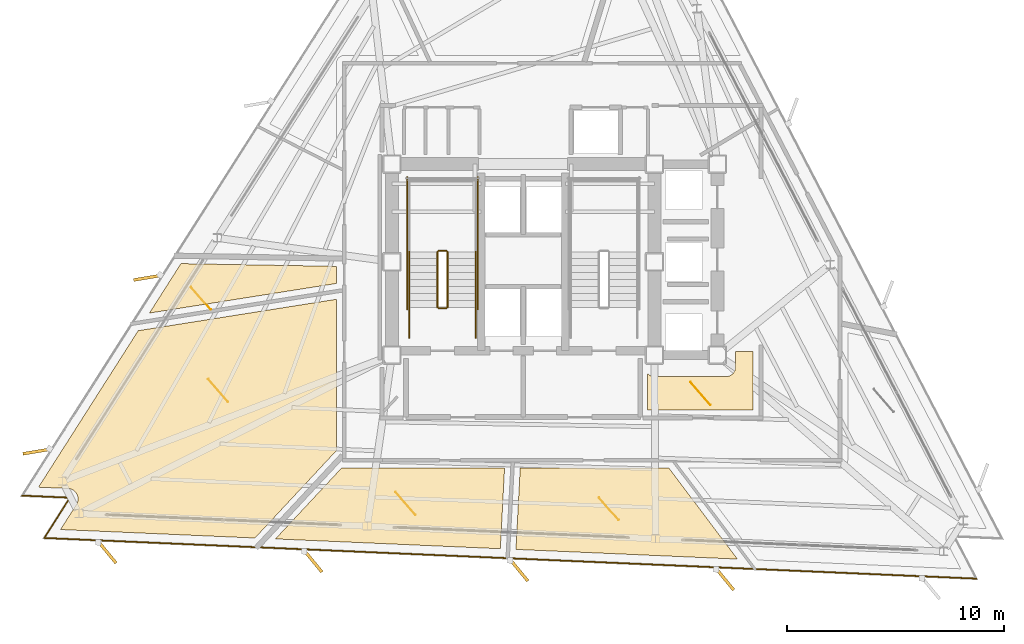
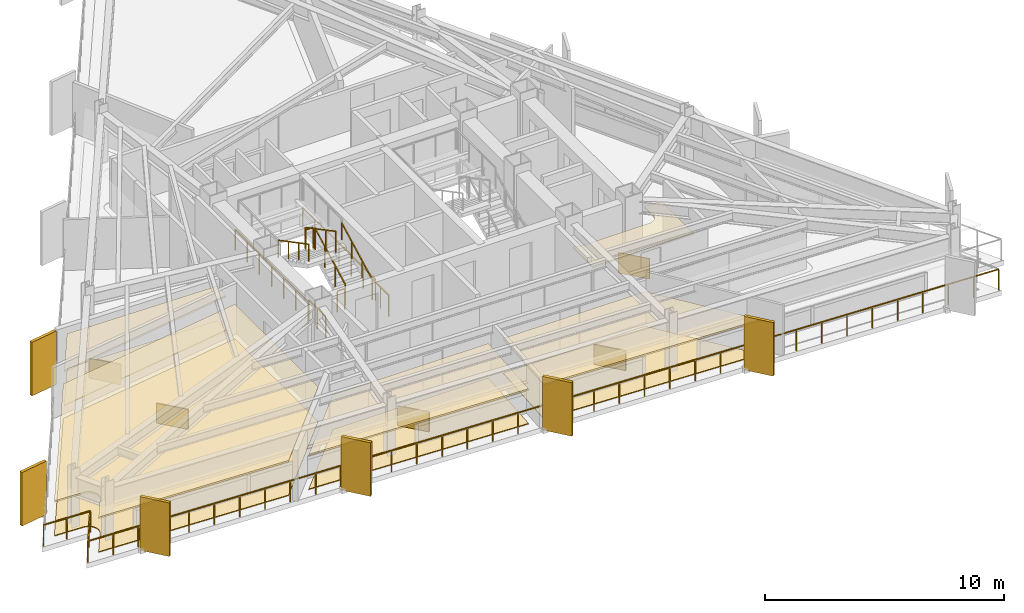
# One storey, part 10 of 12: 14 coverings, 11 railings, 6 shading devices.
"""IFC4 building model written with IfcOpenShell, lengths in metres."""

from ifc_helpers import new_model, si_unit, direction, frame, origin, origin_2d, place, context, subcontext, project, spatial, polyline, rectangle, outline, extrude, material, layer, layer_set, type_object, element, save


model = new_model("IFC4")

# Units and contexts
model_context = context("Model", 3, precision=1e-05, world=origin(), true_north=direction((0.0, 1.0)))
body_context = subcontext(model_context, "Body", "Model", "MODEL_VIEW")
ifc_project = project(units=[si_unit("LENGTHUNIT", "METRE"), si_unit("AREAUNIT", "SQUARE_METRE"), si_unit("VOLUMEUNIT", "CUBIC_METRE"), si_unit("PLANEANGLEUNIT", "RADIAN"), si_unit("MASSUNIT", "GRAM", prefix="KILO")], contexts=[model_context])

# Site, building, storey
site_placement = place(None, origin())
site = spatial("IfcSite", under=ifc_project, at=site_placement, CompositionType="ELEMENT")
building_placement = place(site_placement, origin())
building = spatial("IfcBuilding", under=site, at=building_placement, Name="Rocaltana Carrier Exchange", CompositionType="ELEMENT")
storey_placement = place(building_placement, frame((0.0, 0.0, 144.159912109375)))
storey = spatial("IfcBuildingStorey", under=building, at=storey_placement, Name="L45", CompositionType="ELEMENT", Elevation=144.159912109375)

# Coverings
ifc_material_1 = material(Name="Honed Bogota Sandstone Tile", Category="masonry")
ifc_layer_1 = layer(ifc_material_1, 0.0400390625)
ifc_layer_set_1 = layer_set([ifc_layer_1], Name="Honed Bogota Sandstone Tile")
covering_type_1 = type_object("IfcCoveringType", Name="Honed Stone Lobby Flooring 40", PredefinedType="FLOORING", material=ifc_layer_set_1)
covering_1_placement = place(storey_placement, origin())
element("IfcCovering", 1, at=covering_1_placement, inside=storey, type_object=covering_type_1, Name="L45 Client Reception Foyer Finish Floor", PredefinedType="FLOORING", context=body_context, shape_type="SweptSolid", body=[
    extrude(outline(polyline([(-15.77734375, -0.084716796875), (-8.610107421875, -0.209716796875), (-8.610107421875, -0.999267578125), (-17.229736328125, -2.364501953125), (-15.77734375, -0.084716796875)])), origin(), (0.0, 0.0, 1.0), 0.0400390625),
])
covering_2_placement = place(storey_placement, origin())
element("IfcCovering", 2, at=covering_2_placement, inside=storey, type_object=covering_type_1, Name="L45 Staff Break Pantry Finish Floor", PredefinedType="FLOORING", context=body_context, shape_type="SweptSolid", body=[
    extrude(outline(polyline([(-20.592041015625, -11.18798828125), (-20.584716796875, -11.176025390625), (-20.574951171875, -11.15869140625), (-20.562255859375, -11.1337890625), (-20.55419921875, -11.11572265625), (-20.544189453125, -11.089599609375), (-20.5380859375, -11.07080078125), (-20.530517578125, -11.043701171875), (-20.5263671875, -11.0244140625), (-20.521484375, -10.996826171875), (-20.519287109375, -10.97705078125), (-20.517333984375, -10.94921875), (-20.516845703125, -10.92919921875), (-20.517822265625, -10.9013671875), (-20.519287109375, -10.88134765625), (-20.523193359375, -10.853759765625), (-20.526611328125, -10.833984375), (-20.532958984375, -10.806884765625), (-20.53857421875, -10.787841796875), (-20.547607421875, -10.761474609375), (-20.554931640625, -10.742919921875), (-20.566650390625, -10.717529296875), (-20.575927734375, -10.69970703125), (-20.590087890625, -10.67578125), (-20.600830078125, -10.6591796875), (-20.6171875, -10.636474609375), (-20.6298828125, -10.62109375), (-20.6484375, -10.60009765625), (-20.66259765625, -10.5859375), (-20.68310546875, -10.567138671875), (-20.698486328125, -10.554443359375), (-20.720703125, -10.53759765625), (-20.7373046875, -10.526611328125), (-20.76123046875, -10.51220703125), (-20.77880859375, -10.502685546875), (-20.803955078125, -10.49072265625), (-20.822509765625, -10.483154296875), (-20.8486328125, -10.473876953125), (-20.867919921875, -10.468017578125), (-20.89501953125, -10.461181640625), (-20.91455078125, -10.45751953125), (-20.942138671875, -10.45361328125), (-20.9619140625, -10.45166015625), (-20.975830078125, -10.45068359375), (-22.34326171875, -10.39111328125), (-17.74609375, -3.17529296875), (-8.610107421875, -1.728271484375), (-8.610107421875, -8.705078125), (-12.36669921875, -12.733642578125), (-21.327392578125, -12.34228515625), (-20.592041015625, -11.18798828125)])), origin(), (0.0, 0.0, 1.0), 0.0400390625),
])
covering_3_placement = place(storey_placement, origin())
element("IfcCovering", 3, at=covering_3_placement, inside=storey, type_object=covering_type_1, Name="L45 Client Reception Foyer Finish Floor", PredefinedType="FLOORING", context=body_context, shape_type="SweptSolid", body=[
    extrude(outline(polyline([(-11.420654296875, -12.77490234375), (-8.359619140625, -9.49267578125), (-8.34130859375, -9.498291015625), (-8.33349609375, -9.5), (-8.306640625, -9.50537109375), (-8.298828125, -9.506591796875), (-8.271484375, -9.50927734375), (-8.263671875, -9.509765625), (-8.25, -9.510009765625), (-0.85888671875, -9.510009765625), (-1.0537109375, -13.2275390625), (-11.420654296875, -12.77490234375)])), origin(), (0.0, 0.0, 1.0), 0.0400390625),
])
covering_4_placement = place(storey_placement, origin())
element("IfcCovering", 4, at=covering_4_placement, inside=storey, type_object=covering_type_1, Name="L45 Cloud Architecture Office Finish Floor", PredefinedType="FLOORING", context=body_context, shape_type="SweptSolid", body=[
    extrude(outline(polyline([(-0.33447265625, -13.259033203125), (-0.137939453125, -9.510009765625), (6.715576171875, -9.510009765625), (9.87646484375, -13.704833984375), (-0.33447265625, -13.259033203125)])), origin(), (0.0, 0.0, 1.0), 0.0400390625),
])
ifc_material_2 = material(Name="Anodised Aluminium 6063-T6", Category="aluminium")
ifc_layer_2 = layer(ifc_material_2, 0.0849609375)
ifc_layer_set_2 = layer_set([ifc_layer_2], Name="Anodised Aluminium 6063-T6")
covering_type_2 = type_object("IfcCoveringType", Name="Linear Baffle Acoustic Ceiling 85", PredefinedType="CEILING", material=ifc_layer_set_2)
covering_5_placement = place(storey_placement, frame((0.0, 0.0, 1.72314453125)))
element("IfcCovering", 5, at=covering_5_placement, inside=storey, type_object=covering_type_2, Name="L45 Client Reception Foyer Acoustic Ceiling", PredefinedType="CEILING", context=body_context, shape_type="SweptSolid", body=[
    extrude(outline(polyline([(-15.77734375, -0.084716796875), (-8.610107421875, -0.209716796875), (-8.610107421875, -0.999267578125), (-17.229736328125, -2.364501953125), (-15.77734375, -0.084716796875)])), origin(), (0.0, 0.0, 1.0), 0.0849609375),
])
covering_6_placement = place(storey_placement, frame((0.0, 0.0, 1.72314453125)))
element("IfcCovering", 6, at=covering_6_placement, inside=storey, type_object=covering_type_2, Name="L45 Staff Break Pantry Acoustic Ceiling", PredefinedType="CEILING", context=body_context, shape_type="SweptSolid", body=[
    extrude(outline(polyline([(-20.592041015625, -11.18798828125), (-20.584716796875, -11.176025390625), (-20.574951171875, -11.15869140625), (-20.562255859375, -11.1337890625), (-20.55419921875, -11.11572265625), (-20.544189453125, -11.089599609375), (-20.5380859375, -11.07080078125), (-20.530517578125, -11.043701171875), (-20.5263671875, -11.0244140625), (-20.521484375, -10.996826171875), (-20.519287109375, -10.97705078125), (-20.517333984375, -10.94921875), (-20.516845703125, -10.92919921875), (-20.517822265625, -10.9013671875), (-20.519287109375, -10.88134765625), (-20.523193359375, -10.853759765625), (-20.526611328125, -10.833984375), (-20.532958984375, -10.806884765625), (-20.53857421875, -10.787841796875), (-20.547607421875, -10.761474609375), (-20.554931640625, -10.742919921875), (-20.566650390625, -10.717529296875), (-20.575927734375, -10.69970703125), (-20.590087890625, -10.67578125), (-20.600830078125, -10.6591796875), (-20.6171875, -10.636474609375), (-20.6298828125, -10.62109375), (-20.6484375, -10.60009765625), (-20.66259765625, -10.5859375), (-20.68310546875, -10.567138671875), (-20.698486328125, -10.554443359375), (-20.720703125, -10.53759765625), (-20.7373046875, -10.526611328125), (-20.76123046875, -10.51220703125), (-20.77880859375, -10.502685546875), (-20.803955078125, -10.49072265625), (-20.822509765625, -10.483154296875), (-20.8486328125, -10.473876953125), (-20.867919921875, -10.468017578125), (-20.89501953125, -10.461181640625), (-20.91455078125, -10.45751953125), (-20.942138671875, -10.45361328125), (-20.9619140625, -10.45166015625), (-20.975830078125, -10.45068359375), (-22.34326171875, -10.39111328125), (-17.74609375, -3.17529296875), (-8.610107421875, -1.728271484375), (-8.610107421875, -8.705078125), (-12.36669921875, -12.733642578125), (-21.327392578125, -12.34228515625), (-20.592041015625, -11.18798828125)])), origin(), (0.0, 0.0, 1.0), 0.0849609375),
])
covering_7_placement = place(storey_placement, frame((0.0, 0.0, 1.72314453125)))
element("IfcCovering", 7, at=covering_7_placement, inside=storey, type_object=covering_type_2, Name="L45 Client Reception Foyer Acoustic Ceiling", PredefinedType="CEILING", context=body_context, shape_type="SweptSolid", body=[
    extrude(outline(polyline([(-11.420654296875, -12.77490234375), (-8.359619140625, -9.49267578125), (-8.34130859375, -9.498291015625), (-8.33349609375, -9.5), (-8.306640625, -9.50537109375), (-8.298828125, -9.506591796875), (-8.271484375, -9.50927734375), (-8.263671875, -9.509765625), (-8.25, -9.510009765625), (-0.85888671875, -9.510009765625), (-1.0537109375, -13.2275390625), (-11.420654296875, -12.77490234375)])), origin(), (0.0, 0.0, 1.0), 0.0849609375),
])
covering_8_placement = place(storey_placement, frame((0.0, 0.0, 1.72314453125)))
element("IfcCovering", 8, at=covering_8_placement, inside=storey, type_object=covering_type_2, Name="L45 Cloud Architecture Office Acoustic Ceiling", PredefinedType="CEILING", context=body_context, shape_type="SweptSolid", body=[
    extrude(outline(polyline([(-0.33447265625, -13.259033203125), (-0.137939453125, -9.510009765625), (6.715576171875, -9.510009765625), (9.87646484375, -13.704833984375), (-0.33447265625, -13.259033203125)])), origin(), (0.0, 0.0, 1.0), 0.0849609375),
])
covering_9_placement = place(storey_placement, frame((0.0, 0.0, 1.72314453125)))
element("IfcCovering", 9, at=covering_9_placement, inside=storey, type_object=covering_type_2, Name="L45 Peering Conference Room Acoustic Ceiling", PredefinedType="CEILING", context=body_context, shape_type="SweptSolid", body=[
    extrude(outline(polyline([(5.739990234375, -6.840087890625), (5.739990234375, -5.161865234375), (5.748779296875, -5.170654296875), (5.760498046875, -5.18115234375), (5.78173828125, -5.198486328125), (5.794189453125, -5.2080078125), (5.817138671875, -5.22314453125), (5.83056640625, -5.231201171875), (5.85498046875, -5.244140625), (5.869140625, -5.2509765625), (5.894287109375, -5.261474609375), (5.9091796875, -5.2666015625), (5.935546875, -5.274658203125), (5.95068359375, -5.278564453125), (5.977783203125, -5.283935546875), (5.9931640625, -5.2861328125), (6.0205078125, -5.288818359375), (6.036376953125, -5.289794921875), (6.050048828125, -5.2900390625), (9.35009765625, -5.2900390625), (9.36376953125, -5.289794921875), (9.37939453125, -5.288818359375), (9.40673828125, -5.2861328125), (9.42236328125, -5.283935546875), (9.44921875, -5.278564453125), (9.464599609375, -5.274658203125), (9.49072265625, -5.2666015625), (9.505615234375, -5.261474609375), (9.531005859375, -5.2509765625), (9.545166015625, -5.244140625), (9.5693359375, -5.231201171875), (9.582763671875, -5.22314453125), (9.605712890625, -5.2080078125), (9.618408203125, -5.198486328125), (9.639404296875, -5.18115234375), (9.651123046875, -5.170654296875), (9.670654296875, -5.151123046875), (9.68115234375, -5.139404296875), (9.698486328125, -5.118408203125), (9.7080078125, -5.105712890625), (9.72314453125, -5.082763671875), (9.731201171875, -5.0693359375), (9.744140625, -5.045166015625), (9.7509765625, -5.031005859375), (9.761474609375, -5.005615234375), (9.7666015625, -4.99072265625), (9.774658203125, -4.964599609375), (9.778564453125, -4.94921875), (9.783935546875, -4.92236328125), (9.7861328125, -4.90673828125), (9.788818359375, -4.87939453125), (9.789794921875, -4.86376953125), (9.7900390625, -4.85009765625), (9.7900390625, -4.139892578125), (10.60009765625, -4.139892578125), (10.60009765625, -6.840087890625), (5.739990234375, -6.840087890625)])), origin(), (0.0, 0.0, 1.0), 0.0849609375),
])

# Railings
ifc_material_3 = material(Name="Brushed Architectural Stainless Tube", Category="steel")
ifc_layer_3 = layer(ifc_material_3, 0.048095703125)
ifc_layer_set_3 = layer_set([ifc_layer_3], Name="Brushed Architectural Stainless Tube")
railing_type_1 = type_object("IfcRailingType", Name="Stair Wall Handrail 920", PredefinedType="HANDRAIL", material=ifc_layer_set_3)
railing_1_placement = place(storey_placement, frame((-2.18994140625, -2.10009765625, 0.1689453125)))
element("IfcRailing", 10, at=railing_1_placement, inside=storey, type_object=railing_type_1, Name="L45 ST-1 stair handrail 1", PredefinedType="HANDRAIL", context=body_context, shape_type="SweptSolid", body=[
    extrude(rectangle(XDim=0.048095703125, YDim=0.048095703125, at=origin_2d()), frame((0.0, 0.0, 0.8759765625), z_axis=(0.0, 0.884394423565, 0.466740295633), x_axis=(-1.0, 0.0, 0.0)), (0.0, 0.0, 1.0), 2.894775390625),
    extrude(rectangle(XDim=0.0419921875, YDim=0.0419921875, at=origin_2d()), origin(), (0.0, 0.0, 1.0), 0.851806640625),
    extrude(rectangle(XDim=0.0419921875, YDim=0.0419921875, at=origin_2d()), frame((0.0, 0.853271484375, 0.450439453125)), (0.0, 0.0, 1.0), 0.851806640625),
    extrude(rectangle(XDim=0.0419921875, YDim=0.0419921875, at=origin_2d()), frame((0.0, 1.706787109375, 0.900634765625)), (0.0, 0.0, 1.0), 0.851806640625),
    extrude(rectangle(XDim=0.0419921875, YDim=0.0419921875, at=origin_2d()), frame((0.0, 2.56005859375, 1.35107421875)), (0.0, 0.0, 1.0), 0.851806640625),
])
railing_2_placement = place(storey_placement, frame((-5.25, 0.4599609375, 1.68896484375)))
element("IfcRailing", 11, at=railing_2_placement, inside=storey, type_object=railing_type_1, Name="L45 ST-1 stair handrail 2", PredefinedType="HANDRAIL", context=body_context, shape_type="SweptSolid", body=[
    extrude(rectangle(XDim=0.048095703125, YDim=0.048095703125, at=origin_2d()), frame((0.0, 0.0, 0.8759765625), z_axis=(0.0, -0.884394423565, 0.466740295633), x_axis=(1.0, 0.0, 0.0)), (0.0, 0.0, 1.0), 2.894775390625),
    extrude(rectangle(XDim=0.0419921875, YDim=0.0419921875, at=origin_2d()), origin(), (0.0, 0.0, 1.0), 0.851806640625),
    extrude(rectangle(XDim=0.0419921875, YDim=0.0419921875, at=origin_2d()), frame((0.0, -0.853271484375, 0.450439453125)), (0.0, 0.0, 1.0), 0.851806640625),
    extrude(rectangle(XDim=0.0419921875, YDim=0.0419921875, at=origin_2d()), frame((0.0, -1.706787109375, 0.900634765625)), (0.0, 0.0, 1.0), 0.851806640625),
    extrude(rectangle(XDim=0.0419921875, YDim=0.0419921875, at=origin_2d()), frame((0.0, -2.56005859375, 1.35107421875)), (0.0, 0.0, 1.0), 0.851806640625),
])
ifc_material_4 = material(Name="Powder-Coated Aluminium 6063-T6", Category="aluminium")
ifc_layer_4 = layer(ifc_material_4, 0.048095703125)
ifc_layer_set_4 = layer_set([ifc_layer_4], Name="Powder-Coated Aluminium 6063-T6")
railing_type_2 = type_object("IfcRailingType", Name="Stair Well Guardrail 1100", PredefinedType="GUARDRAIL", material=ifc_layer_set_4)
railing_3_placement = place(storey_placement, frame((-3.489990234375, -2.10009765625, 0.1689453125)))
element("IfcRailing", 12, at=railing_3_placement, inside=storey, type_object=railing_type_2, Name="L45 ST-1 stair guard 1", PredefinedType="GUARDRAIL", context=body_context, shape_type="SweptSolid", body=[
    extrude(rectangle(XDim=0.048095703125, YDim=0.048095703125, at=origin_2d()), frame((0.0, 0.0, 1.076171875), z_axis=(0.0, 0.884394423565, 0.466740295633), x_axis=(-1.0, 0.0, 0.0)), (0.0, 0.0, 1.0), 2.894775390625),
    extrude(rectangle(XDim=0.0419921875, YDim=0.0419921875, at=origin_2d()), origin(), (0.0, 0.0, 1.0), 1.052001953125),
    extrude(rectangle(XDim=0.0419921875, YDim=0.0419921875, at=origin_2d()), frame((0.0, 0.853271484375, 0.450439453125)), (0.0, 0.0, 1.0), 1.052001953125),
    extrude(rectangle(XDim=0.0419921875, YDim=0.0419921875, at=origin_2d()), frame((0.0, 1.706787109375, 0.900634765625)), (0.0, 0.0, 1.0), 1.052001953125),
    extrude(rectangle(XDim=0.0419921875, YDim=0.0419921875, at=origin_2d()), frame((0.0, 2.56005859375, 1.35107421875)), (0.0, 0.0, 1.0), 1.052001953125),
])
railing_4_placement = place(storey_placement, frame((-3.5400390625, 0.510009765625, 1.52001953125)))
element("IfcRailing", 13, at=railing_4_placement, inside=storey, type_object=railing_type_2, Name="L45 ST-1 stair guard 2", PredefinedType="GUARDRAIL", context=body_context, shape_type="SweptSolid", body=[
    extrude(rectangle(XDim=0.048095703125, YDim=0.048095703125, at=origin_2d()), frame((0.0, 0.0, 1.076171875), z_axis=(-1.0, 0.0, 0.0), x_axis=(0.0, -1.0, 0.0)), (0.0, 0.0, 1.0), 0.35986328125),
    extrude(rectangle(XDim=0.0419921875, YDim=0.0419921875, at=origin_2d()), origin(), (0.0, 0.0, 1.0), 1.052001953125),
    extrude(rectangle(XDim=0.0419921875, YDim=0.0419921875, at=origin_2d()), frame((-0.35986328125, 0.0, 0.0)), (0.0, 0.0, 1.0), 1.052001953125),
])
railing_5_placement = place(storey_placement, frame((-3.949951171875, 0.4599609375, 1.68896484375)))
element("IfcRailing", 14, at=railing_5_placement, inside=storey, type_object=railing_type_2, Name="L45 ST-1 stair guard 6", PredefinedType="GUARDRAIL", context=body_context, shape_type="SweptSolid", body=[
    extrude(rectangle(XDim=0.048095703125, YDim=0.048095703125, at=origin_2d()), frame((0.0, 0.0, 1.076171875), z_axis=(0.0, -0.884394423565, 0.466740295633), x_axis=(1.0, 0.0, 0.0)), (0.0, 0.0, 1.0), 2.894775390625),
    extrude(rectangle(XDim=0.0419921875, YDim=0.0419921875, at=origin_2d()), origin(), (0.0, 0.0, 1.0), 1.052001953125),
    extrude(rectangle(XDim=0.0419921875, YDim=0.0419921875, at=origin_2d()), frame((0.0, -0.853271484375, 0.450439453125)), (0.0, 0.0, 1.0), 1.052001953125),
    extrude(rectangle(XDim=0.0419921875, YDim=0.0419921875, at=origin_2d()), frame((0.0, -1.706787109375, 0.900634765625)), (0.0, 0.0, 1.0), 1.052001953125),
    extrude(rectangle(XDim=0.0419921875, YDim=0.0419921875, at=origin_2d()), frame((0.0, -2.56005859375, 1.35107421875)), (0.0, 0.0, 1.0), 1.052001953125),
])
railing_6_placement = place(storey_placement, frame((-3.5400390625, -2.14990234375, 0.0)))
element("IfcRailing", 15, at=railing_6_placement, inside=storey, type_object=railing_type_2, Name="L45 ST-1 stair guard 7", PredefinedType="GUARDRAIL", context=body_context, shape_type="SweptSolid", body=[
    extrude(rectangle(XDim=0.048095703125, YDim=0.048095703125, at=origin_2d()), frame((0.0, 0.0, 1.076171875), z_axis=(-1.0, 0.0, 0.0), x_axis=(0.0, -1.0, 0.0)), (0.0, 0.0, 1.0), 0.35986328125),
    extrude(rectangle(XDim=0.0419921875, YDim=0.0419921875, at=origin_2d()), origin(), (0.0, 0.0, 1.0), 1.052001953125),
    extrude(rectangle(XDim=0.0419921875, YDim=0.0419921875, at=origin_2d()), frame((-0.35986328125, 0.0, 0.0)), (0.0, 0.0, 1.0), 1.052001953125),
])
for number, where, name in (
    (16, (-2.18994140625, -3.5, 0.0), "L45 ST-1 stair guard 8"),
    (17, (-5.25, -3.5, 0.0), "L45 ST-1 stair guard 9"),
):
    element("IfcRailing", number, at=place(storey_placement, frame(where)), inside=storey, type_object=railing_type_2, Name=name, PredefinedType="GUARDRAIL", context=body_context, shape_type="SweptSolid", body=[
        extrude(rectangle(XDim=0.048095703125, YDim=0.048095703125, at=origin_2d()), frame((0.0, 0.0, 1.076171875), z_axis=(0.0, 1.0, 0.0), x_axis=(-1.0, 0.0, 0.0)), (0.0, 0.0, 1.0), 1.39990234375),
        extrude(rectangle(XDim=0.0419921875, YDim=0.0419921875, at=origin_2d()), origin(), (0.0, 0.0, 1.0), 1.052001953125),
        extrude(rectangle(XDim=0.0419921875, YDim=0.0419921875, at=origin_2d()), frame((0.0, 0.699951171875, 0.0)), (0.0, 0.0, 1.0), 1.052001953125),
        extrude(rectangle(XDim=0.0419921875, YDim=0.0419921875, at=origin_2d()), frame((0.0, 1.39990234375, 0.0)), (0.0, 0.0, 1.0), 1.052001953125),
    ])
for number, where, name in (
    (18, (-2.090087890625, -2.199951171875, 0.0), "L45 ST-1 stair guard 10"),
    (19, (-5.35009765625, -2.199951171875, 0.0), "L45 ST-1 stair guard 11"),
):
    element("IfcRailing", number, at=place(storey_placement, frame(where)), inside=storey, type_object=railing_type_2, Name=name, PredefinedType="GUARDRAIL", context=body_context, shape_type="SweptSolid", body=[
        extrude(rectangle(XDim=0.048095703125, YDim=0.048095703125, at=origin_2d()), frame((0.0, 0.0, 1.076171875), z_axis=(0.0, 1.0, 0.0), x_axis=(-1.0, 0.0, 0.0)), (0.0, 0.0, 1.0), 6.099853515625),
        extrude(rectangle(XDim=0.0419921875, YDim=0.0419921875, at=origin_2d()), origin(), (0.0, 0.0, 1.0), 1.052001953125),
        extrude(rectangle(XDim=0.0419921875, YDim=0.0419921875, at=origin_2d()), frame((0.0, 1.0166015625, 0.0)), (0.0, 0.0, 1.0), 1.052001953125),
        extrude(rectangle(XDim=0.0419921875, YDim=0.0419921875, at=origin_2d()), frame((0.0, 2.033203125, 0.0)), (0.0, 0.0, 1.0), 1.052001953125),
        extrude(rectangle(XDim=0.0419921875, YDim=0.0419921875, at=origin_2d()), frame((0.0, 3.0498046875, 0.0)), (0.0, 0.0, 1.0), 1.052001953125),
        extrude(rectangle(XDim=0.0419921875, YDim=0.0419921875, at=origin_2d()), frame((0.0, 4.066650390625, 0.0)), (0.0, 0.0, 1.0), 1.052001953125),
        extrude(rectangle(XDim=0.0419921875, YDim=0.0419921875, at=origin_2d()), frame((0.0, 5.083251953125, 0.0)), (0.0, 0.0, 1.0), 1.052001953125),
        extrude(rectangle(XDim=0.0419921875, YDim=0.0419921875, at=origin_2d()), frame((0.0, 6.099853515625, 0.0)), (0.0, 0.0, 1.0), 1.052001953125),
    ])

# Coverings
ifc_material_5 = material(Name="Honed Piedra Muneca Sandstone", Category="masonry")
ifc_layer_5 = layer(ifc_material_5, 0.034912109375)
ifc_layer_set_5 = layer_set([ifc_layer_5], Name="Honed Piedra Muneca Sandstone")
covering_type_3 = type_object("IfcCoveringType", Name="Stone Facade Cladding 35", PredefinedType="CLADDING", material=ifc_layer_set_5)
for number, where, z_axis, x_axis, name in (
    (20, (-14.857421875, -1.681884765625, 0.0), (0.0, 0.0, 1.0), (-0.656059028991, 0.754709580223, 0.0), "L45 Stone Facade Cladding Panel 1"),
    (21, (-14.058837890625, -5.940185546875, 0.0), (0.0, 0.0, 1.0), (-0.656059028991, 0.754709580223, 0.0), "L45 Stone Facade Cladding Panel 2"),
    (22, (-5.42138671875, -11.142578125, 0.0), (0.0, 0.0, 1.0), (-0.656059028991, 0.754709580223, 0.0), "L45 Stone Facade Cladding Panel 3"),
    (23, (3.946044921875, -11.384521484375, 0.0), (0.0, 0.0, 1.0), (-0.656059028991, 0.754709580223, 0.0), "L45 Stone Facade Cladding Panel 4"),
    (24, (8.169921875, -6.06494140625, 0.0), (0.0, 0.0, 1.0), (-0.656059028991, 0.754709580223, 0.0), "L45 Stone Facade Cladding Panel 5"),
):
    element("IfcCovering", number, at=place(storey_placement, frame(where, z_axis=z_axis, x_axis=x_axis)), inside=storey, type_object=covering_type_3, Name=name, PredefinedType="CLADDING", context=body_context, shape_type="SweptSolid", body=[
        extrude(rectangle(XDim=1.39990234375, YDim=0.034912109375, at=origin_2d()), origin(), (0.0, 0.0, 1.0), 1.050048828125),
    ])

# Shading devices
ifc_material_6 = material(Name="Honed Bogota Sandstone & Concrete C45/55", Category="masonry")
ifc_layer_6 = layer(ifc_material_6, 0.139892578125)
ifc_layer_set_6 = layer_set([ifc_layer_6], Name="Honed Bogota Sandstone & Concrete C45/55")
shading_device_type = type_object("IfcShadingDeviceType", Name="Vertical Sandstone Shading Fin 1320x140", PredefinedType="USERDEFINED", material=ifc_layer_set_6)
for number, where, z_axis, x_axis, name in (
    (25, (-17.3046875, -0.7314453125, -0.1201171875), (0.0, 0.0, 1.0), (-0.986285601537, -0.165047605861, 0.0), "L45 Sandstone Vertical Fin F2-04"),
    (26, (-22.4091796875, -8.743896484375, -0.1201171875), (0.0, 0.0, 1.0), (-0.986285601537, -0.165047605861, 0.0), "L45 Sandstone Vertical Fin F2-05"),
    (27, (-19.18701171875, -13.37744140625, -0.1201171875), (0.0, 0.0, 1.0), (0.636078220278, -0.771624583388, 0.0), "L45 Sandstone Vertical Fin F3-01"),
    (28, (-9.696044921875, -13.7919921875, -0.1201171875), (0.0, 0.0, 1.0), (0.636078220278, -0.771624583388, 0.0), "L45 Sandstone Vertical Fin F3-02"),
    (29, (-0.205078125, -14.206298828125, -0.1201171875), (0.0, 0.0, 1.0), (0.636078220278, -0.771624583388, 0.0), "L45 Sandstone Vertical Fin F3-03"),
    (30, (9.285888671875, -14.62060546875, -0.1201171875), (0.0, 0.0, 1.0), (0.636078220278, -0.771624583388, 0.0), "L45 Sandstone Vertical Fin F3-04"),
):
    element("IfcShadingDevice", number, at=place(storey_placement, frame(where, z_axis=z_axis, x_axis=x_axis)), inside=storey, type_object=shading_device_type, Name=name, ObjectType="FIN", PredefinedType="USERDEFINED", context=body_context, shape_type="SweptSolid", body=[
        extrude(rectangle(XDim=1.320068359375, YDim=0.139892578125, at=origin_2d()), origin(), (0.0, 0.0, 1.0), 2.738037109375),
    ])

# Railing
ifc_material_7 = material(Name="Powder-Coated Aluminium 6063-T6", Category="aluminium")
ifc_layer_7 = layer(ifc_material_7, 0.06005859375)
ifc_layer_set_7 = layer_set([ifc_layer_7], Name="Powder-Coated Aluminium 6063-T6")
railing_type_3 = type_object("IfcRailingType", Name="Wind-Floor & Terrace Perimeter Guardrail 1100", PredefinedType="GUARDRAIL", material=ifc_layer_set_7)
railing_7_placement = place(storey_placement, frame((20.87890625, -14.60546875, 0.0)))
element("IfcRailing", 31, at=railing_7_placement, inside=storey, type_object=railing_type_3, Name="L45 Perimeter Balcony Guardrail 1", PredefinedType="GUARDRAIL", context=body_context, shape_type="SweptSolid", body=[
    extrude(rectangle(XDim=0.048095703125, YDim=0.048095703125, at=origin_2d()), frame((0.0, 0.0, 1.076171875), z_axis=(-0.999048277514, 0.043618106279, 0.0), x_axis=(-0.043618106279, -0.999048277514, 0.0)), (0.0, 0.0, 1.0), 42.992431640625),
    extrude(rectangle(XDim=0.048095703125, YDim=0.048095703125, at=origin_2d()), frame((-42.951416015625, 1.875244140625, 1.076171875), z_axis=(0.537320606179, 0.843378068351, 0.0), x_axis=(-0.843378068351, 0.537320606179, 0.0)), (0.0, 0.0, 1.0), 2.199951171875),
    extrude(rectangle(XDim=0.048095703125, YDim=0.048095703125, at=origin_2d()), frame((-41.769287109375, 3.730712890625, 1.076171875), z_axis=(-0.999048605837, 0.043610585593, 0.0), x_axis=(-0.043610585593, -0.999048605837, 0.0)), (0.0, 0.0, 1.0), 2.2001953125),
    extrude(rectangle(XDim=0.0419921875, YDim=0.0419921875, at=origin_2d()), origin(), (0.0, 0.0, 1.0), 1.052001953125),
    extrude(rectangle(XDim=0.0419921875, YDim=0.0419921875, at=origin_2d()), frame((-1.193115234375, 0.052001953125, 0.0)), (0.0, 0.0, 1.0), 1.052001953125),
    extrude(rectangle(XDim=0.0419921875, YDim=0.0419921875, at=origin_2d()), frame((-2.38623046875, 0.104248046875, 0.0)), (0.0, 0.0, 1.0), 1.052001953125),
    extrude(rectangle(XDim=0.0419921875, YDim=0.0419921875, at=origin_2d()), frame((-3.579345703125, 0.15625, 0.0)), (0.0, 0.0, 1.0), 1.052001953125),
    extrude(rectangle(XDim=0.0419921875, YDim=0.0419921875, at=origin_2d()), frame((-4.7724609375, 0.208251953125, 0.0)), (0.0, 0.0, 1.0), 1.052001953125),
    extrude(rectangle(XDim=0.0419921875, YDim=0.0419921875, at=origin_2d()), frame((-5.965576171875, 0.260498046875, 0.0)), (0.0, 0.0, 1.0), 1.052001953125),
    extrude(rectangle(XDim=0.0419921875, YDim=0.0419921875, at=origin_2d()), frame((-7.15869140625, 0.3125, 0.0)), (0.0, 0.0, 1.0), 1.052001953125),
    extrude(rectangle(XDim=0.0419921875, YDim=0.0419921875, at=origin_2d()), frame((-8.3515625, 0.36474609375, 0.0)), (0.0, 0.0, 1.0), 1.052001953125),
    extrude(rectangle(XDim=0.0419921875, YDim=0.0419921875, at=origin_2d()), frame((-9.544677734375, 0.416748046875, 0.0)), (0.0, 0.0, 1.0), 1.052001953125),
    extrude(rectangle(XDim=0.0419921875, YDim=0.0419921875, at=origin_2d()), frame((-10.73779296875, 0.46875, 0.0)), (0.0, 0.0, 1.0), 1.052001953125),
    extrude(rectangle(XDim=0.0419921875, YDim=0.0419921875, at=origin_2d()), frame((-11.930908203125, 0.52099609375, 0.0)), (0.0, 0.0, 1.0), 1.052001953125),
    extrude(rectangle(XDim=0.0419921875, YDim=0.0419921875, at=origin_2d()), frame((-13.1240234375, 0.572998046875, 0.0)), (0.0, 0.0, 1.0), 1.052001953125),
    extrude(rectangle(XDim=0.0419921875, YDim=0.0419921875, at=origin_2d()), frame((-14.317138671875, 0.625, 0.0)), (0.0, 0.0, 1.0), 1.052001953125),
    extrude(rectangle(XDim=0.0419921875, YDim=0.0419921875, at=origin_2d()), frame((-15.51025390625, 0.67724609375, 0.0)), (0.0, 0.0, 1.0), 1.052001953125),
    extrude(rectangle(XDim=0.0419921875, YDim=0.0419921875, at=origin_2d()), frame((-16.703369140625, 0.729248046875, 0.0)), (0.0, 0.0, 1.0), 1.052001953125),
    extrude(rectangle(XDim=0.0419921875, YDim=0.0419921875, at=origin_2d()), frame((-17.896484375, 0.78125, 0.0)), (0.0, 0.0, 1.0), 1.052001953125),
    extrude(rectangle(XDim=0.0419921875, YDim=0.0419921875, at=origin_2d()), frame((-19.089599609375, 0.83349609375, 0.0)), (0.0, 0.0, 1.0), 1.052001953125),
    extrude(rectangle(XDim=0.0419921875, YDim=0.0419921875, at=origin_2d()), frame((-20.28271484375, 0.885498046875, 0.0)), (0.0, 0.0, 1.0), 1.052001953125),
    extrude(rectangle(XDim=0.0419921875, YDim=0.0419921875, at=origin_2d()), frame((-21.4755859375, 0.9375, 0.0)), (0.0, 0.0, 1.0), 1.052001953125),
    extrude(rectangle(XDim=0.0419921875, YDim=0.0419921875, at=origin_2d()), frame((-22.668701171875, 0.98974609375, 0.0)), (0.0, 0.0, 1.0), 1.052001953125),
    extrude(rectangle(XDim=0.0419921875, YDim=0.0419921875, at=origin_2d()), frame((-23.86181640625, 1.041748046875, 0.0)), (0.0, 0.0, 1.0), 1.052001953125),
    extrude(rectangle(XDim=0.0419921875, YDim=0.0419921875, at=origin_2d()), frame((-25.054931640625, 1.093994140625, 0.0)), (0.0, 0.0, 1.0), 1.052001953125),
    extrude(rectangle(XDim=0.0419921875, YDim=0.0419921875, at=origin_2d()), frame((-26.248046875, 1.14599609375, 0.0)), (0.0, 0.0, 1.0), 1.052001953125),
    extrude(rectangle(XDim=0.0419921875, YDim=0.0419921875, at=origin_2d()), frame((-27.441162109375, 1.197998046875, 0.0)), (0.0, 0.0, 1.0), 1.052001953125),
    extrude(rectangle(XDim=0.0419921875, YDim=0.0419921875, at=origin_2d()), frame((-28.63427734375, 1.250244140625, 0.0)), (0.0, 0.0, 1.0), 1.052001953125),
    extrude(rectangle(XDim=0.0419921875, YDim=0.0419921875, at=origin_2d()), frame((-29.827392578125, 1.30224609375, 0.0)), (0.0, 0.0, 1.0), 1.052001953125),
    extrude(rectangle(XDim=0.0419921875, YDim=0.0419921875, at=origin_2d()), frame((-31.0205078125, 1.354248046875, 0.0)), (0.0, 0.0, 1.0), 1.052001953125),
    extrude(rectangle(XDim=0.0419921875, YDim=0.0419921875, at=origin_2d()), frame((-32.213623046875, 1.406494140625, 0.0)), (0.0, 0.0, 1.0), 1.052001953125),
    extrude(rectangle(XDim=0.0419921875, YDim=0.0419921875, at=origin_2d()), frame((-33.40673828125, 1.45849609375, 0.0)), (0.0, 0.0, 1.0), 1.052001953125),
    extrude(rectangle(XDim=0.0419921875, YDim=0.0419921875, at=origin_2d()), frame((-34.599853515625, 1.510498046875, 0.0)), (0.0, 0.0, 1.0), 1.052001953125),
    extrude(rectangle(XDim=0.0419921875, YDim=0.0419921875, at=origin_2d()), frame((-35.79296875, 1.562744140625, 0.0)), (0.0, 0.0, 1.0), 1.052001953125),
    extrude(rectangle(XDim=0.0419921875, YDim=0.0419921875, at=origin_2d()), frame((-36.98583984375, 1.61474609375, 0.0)), (0.0, 0.0, 1.0), 1.052001953125),
    extrude(rectangle(XDim=0.0419921875, YDim=0.0419921875, at=origin_2d()), frame((-38.178955078125, 1.6669921875, 0.0)), (0.0, 0.0, 1.0), 1.052001953125),
    extrude(rectangle(XDim=0.0419921875, YDim=0.0419921875, at=origin_2d()), frame((-39.3720703125, 1.718994140625, 0.0)), (0.0, 0.0, 1.0), 1.052001953125),
    extrude(rectangle(XDim=0.0419921875, YDim=0.0419921875, at=origin_2d()), frame((-40.565185546875, 1.77099609375, 0.0)), (0.0, 0.0, 1.0), 1.052001953125),
    extrude(rectangle(XDim=0.0419921875, YDim=0.0419921875, at=origin_2d()), frame((-41.75830078125, 1.8232421875, 0.0)), (0.0, 0.0, 1.0), 1.052001953125),
    extrude(rectangle(XDim=0.0419921875, YDim=0.0419921875, at=origin_2d()), frame((-42.951416015625, 1.875244140625, 0.0)), (0.0, 0.0, 1.0), 1.052001953125),
    extrude(rectangle(XDim=0.0419921875, YDim=0.0419921875, at=origin_2d()), frame((-42.3603515625, 2.802978515625, 0.0)), (0.0, 0.0, 1.0), 1.052001953125),
    extrude(rectangle(XDim=0.0419921875, YDim=0.0419921875, at=origin_2d()), frame((-41.769287109375, 3.730712890625, 0.0)), (0.0, 0.0, 1.0), 1.052001953125),
    extrude(rectangle(XDim=0.0419921875, YDim=0.0419921875, at=origin_2d()), frame((-42.8681640625, 3.77880859375, 0.0)), (0.0, 0.0, 1.0), 1.052001953125),
    extrude(rectangle(XDim=0.0419921875, YDim=0.0419921875, at=origin_2d()), frame((-43.96728515625, 3.82666015625, 0.0)), (0.0, 0.0, 1.0), 1.052001953125),
])

save(model, "model.ifc")
